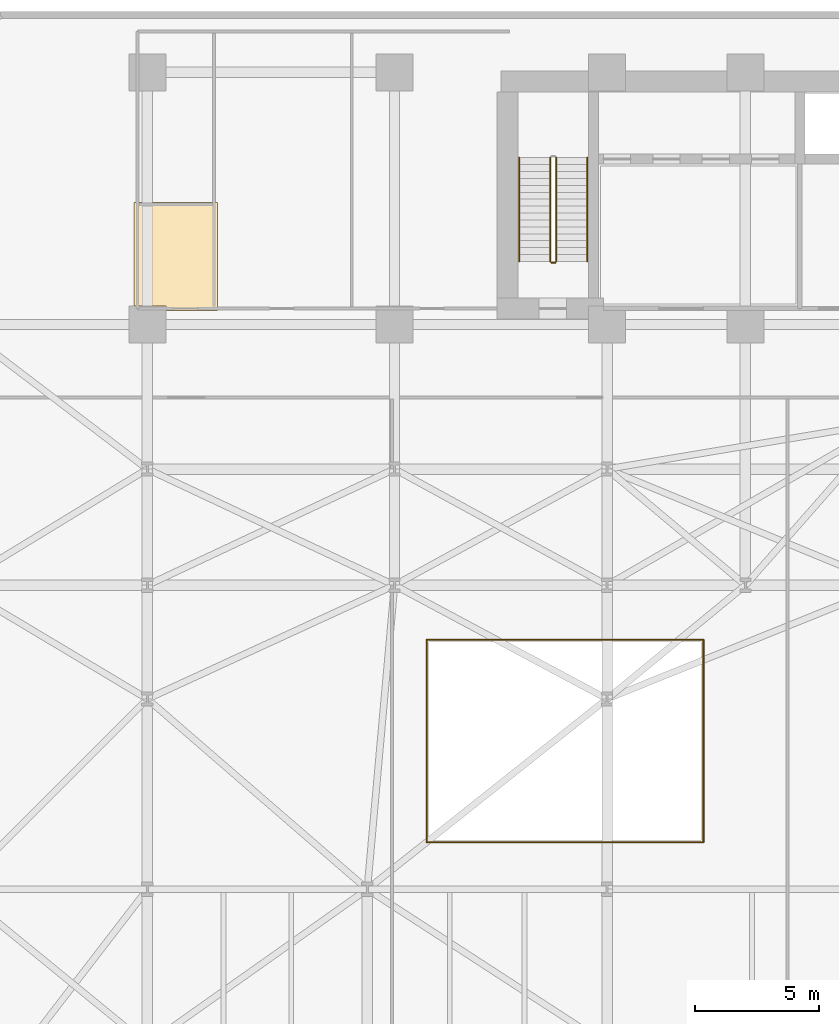
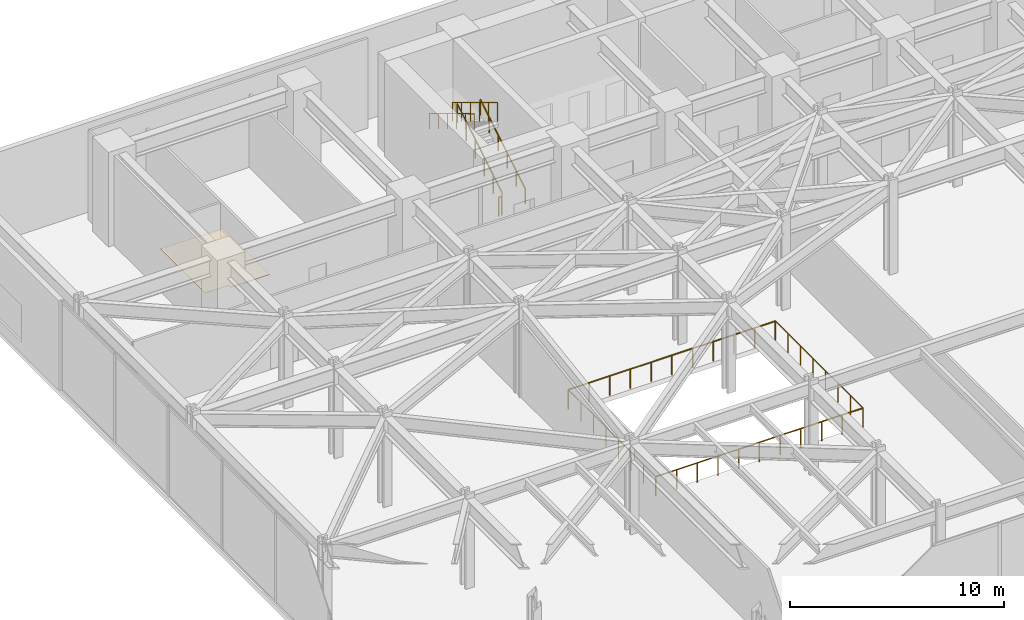
# One storey, part 27 of 29: 9 railings, 1 covering.
"""IFC4 building model written with IfcOpenShell, lengths in metres."""

from ifc_helpers import new_model, si_unit, direction, frame, origin, origin_2d, place, context, subcontext, project, spatial, polyline, circle, outline, extrude, material, layer, layer_set, type_object, element, save


model = new_model("IFC4")

# Units and contexts
model_context = context("Model", 3, precision=1e-05, world=origin(), true_north=direction((0.0, 1.0)))
body_context = subcontext(model_context, "Body", "Model", "MODEL_VIEW")
ifc_project = project(units=[si_unit("LENGTHUNIT", "METRE"), si_unit("AREAUNIT", "SQUARE_METRE"), si_unit("VOLUMEUNIT", "CUBIC_METRE"), si_unit("PLANEANGLEUNIT", "RADIAN"), si_unit("MASSUNIT", "GRAM", prefix="KILO")], contexts=[model_context])

# Site, building, storey
site_placement = place(None, origin())
site = spatial("IfcSite", under=ifc_project, at=site_placement, CompositionType="ELEMENT")
building_placement = place(site_placement, origin())
building = spatial("IfcBuilding", under=site, at=building_placement, Name="Kravanh Interchange Tower", CompositionType="ELEMENT")
storey_placement = place(building_placement, frame((0.0, 0.0, 5.39990234375)))
storey = spatial("IfcBuildingStorey", under=building, at=storey_placement, Name="L01", CompositionType="ELEMENT", Elevation=5.39990234375)

# Railings
ifc_material_1 = material(Name="Structural Steel S355", Category="steel")
ifc_layer_1 = layer(ifc_material_1, 0.06005859375)
ifc_layer_set_1 = layer_set([ifc_layer_1], Name="Atrium Void Glazed Balustrade Structural Steel S355 1120mm")
railing_type_1 = type_object("IfcRailingType", Name="Atrium Void Glazed Balustrade Structural Steel S355 1120mm", PredefinedType="BALUSTRADE", material=ifc_layer_set_1)
railing_1_placement = place(storey_placement, frame((19.89990234375, 16.39990234375, 0.0)))
element("IfcRailing", 1, at=railing_1_placement, inside=storey, type_object=railing_type_1, Name="L01 Concourse Atrium Void Balustrade 1", PredefinedType="BALUSTRADE", context=body_context, shape_type="SweptSolid", body=[
    extrude(circle(Radius=0.02392578125, at=origin_2d()), frame((0.0, 0.0, 1.09619140625), z_axis=(1.0, 0.0, 0.0), x_axis=(0.0, 1.0, 0.0)), (0.0, 0.0, 1.0), 11.2001953125),
    extrude(circle(Radius=0.02099609375, at=origin_2d()), origin(), (0.0, 0.0, 1.0), 1.072021484375),
    extrude(circle(Radius=0.02099609375, at=origin_2d()), frame((1.1201171875, 0.0, 0.0)), (0.0, 0.0, 1.0), 1.072021484375),
    extrude(circle(Radius=0.02099609375, at=origin_2d()), frame((2.239990234375, 0.0, 0.0)), (0.0, 0.0, 1.0), 1.072021484375),
    extrude(circle(Radius=0.02099609375, at=origin_2d()), frame((3.360107421875, 0.0, 0.0)), (0.0, 0.0, 1.0), 1.072021484375),
    extrude(circle(Radius=0.02099609375, at=origin_2d()), frame((4.47998046875, 0.0, 0.0)), (0.0, 0.0, 1.0), 1.072021484375),
    extrude(circle(Radius=0.02099609375, at=origin_2d()), frame((5.60009765625, 0.0, 0.0)), (0.0, 0.0, 1.0), 1.072021484375),
    extrude(circle(Radius=0.02099609375, at=origin_2d()), frame((6.72021484375, 0.0, 0.0)), (0.0, 0.0, 1.0), 1.072021484375),
    extrude(circle(Radius=0.02099609375, at=origin_2d()), frame((7.840087890625, 0.0, 0.0)), (0.0, 0.0, 1.0), 1.072021484375),
    extrude(circle(Radius=0.02099609375, at=origin_2d()), frame((8.960205078125, 0.0, 0.0)), (0.0, 0.0, 1.0), 1.072021484375),
    extrude(circle(Radius=0.02099609375, at=origin_2d()), frame((10.080078125, 0.0, 0.0)), (0.0, 0.0, 1.0), 1.072021484375),
    extrude(circle(Radius=0.02099609375, at=origin_2d()), frame((11.2001953125, 0.0, 0.0)), (0.0, 0.0, 1.0), 1.072021484375),
])
railing_2_placement = place(storey_placement, frame((31.10009765625, 16.39990234375, 0.0)))
element("IfcRailing", 2, at=railing_2_placement, inside=storey, type_object=railing_type_1, Name="L01 Concourse Atrium Void Balustrade 2", PredefinedType="BALUSTRADE", context=body_context, shape_type="SweptSolid", body=[
    extrude(circle(Radius=0.02392578125, at=origin_2d()), frame((0.0, 0.0, 1.09619140625), z_axis=(0.0, 1.0, 0.0), x_axis=(-1.0, 0.0, 0.0)), (0.0, 0.0, 1.0), 8.2001953125),
    extrude(circle(Radius=0.02099609375, at=origin_2d()), origin(), (0.0, 0.0, 1.0), 1.072021484375),
    extrude(circle(Radius=0.02099609375, at=origin_2d()), frame((0.0, 1.17138671875, 0.0)), (0.0, 0.0, 1.0), 1.072021484375),
    extrude(circle(Radius=0.02099609375, at=origin_2d()), frame((0.0, 2.343017578125, 0.0)), (0.0, 0.0, 1.0), 1.072021484375),
    extrude(circle(Radius=0.02099609375, at=origin_2d()), frame((0.0, 3.514404296875, 0.0)), (0.0, 0.0, 1.0), 1.072021484375),
    extrude(circle(Radius=0.02099609375, at=origin_2d()), frame((0.0, 4.685791015625, 0.0)), (0.0, 0.0, 1.0), 1.072021484375),
    extrude(circle(Radius=0.02099609375, at=origin_2d()), frame((0.0, 5.857177734375, 0.0)), (0.0, 0.0, 1.0), 1.072021484375),
    extrude(circle(Radius=0.02099609375, at=origin_2d()), frame((0.0, 7.02880859375, 0.0)), (0.0, 0.0, 1.0), 1.072021484375),
    extrude(circle(Radius=0.02099609375, at=origin_2d()), frame((0.0, 8.2001953125, 0.0)), (0.0, 0.0, 1.0), 1.072021484375),
])
railing_3_placement = place(storey_placement, frame((31.10009765625, 24.60009765625, 0.0)))
element("IfcRailing", 3, at=railing_3_placement, inside=storey, type_object=railing_type_1, Name="L01 Concourse Atrium Void Balustrade 3", PredefinedType="BALUSTRADE", context=body_context, shape_type="SweptSolid", body=[
    extrude(circle(Radius=0.02392578125, at=origin_2d()), frame((0.0, 0.0, 1.09619140625), z_axis=(-1.0, 0.0, 0.0), x_axis=(0.0, -1.0, 0.0)), (0.0, 0.0, 1.0), 11.2001953125),
    extrude(circle(Radius=0.02099609375, at=origin_2d()), origin(), (0.0, 0.0, 1.0), 1.072021484375),
    extrude(circle(Radius=0.02099609375, at=origin_2d()), frame((-1.1201171875, 0.0, 0.0)), (0.0, 0.0, 1.0), 1.072021484375),
    extrude(circle(Radius=0.02099609375, at=origin_2d()), frame((-2.239990234375, 0.0, 0.0)), (0.0, 0.0, 1.0), 1.072021484375),
    extrude(circle(Radius=0.02099609375, at=origin_2d()), frame((-3.360107421875, 0.0, 0.0)), (0.0, 0.0, 1.0), 1.072021484375),
    extrude(circle(Radius=0.02099609375, at=origin_2d()), frame((-4.47998046875, 0.0, 0.0)), (0.0, 0.0, 1.0), 1.072021484375),
    extrude(circle(Radius=0.02099609375, at=origin_2d()), frame((-5.60009765625, 0.0, 0.0)), (0.0, 0.0, 1.0), 1.072021484375),
    extrude(circle(Radius=0.02099609375, at=origin_2d()), frame((-6.72021484375, 0.0, 0.0)), (0.0, 0.0, 1.0), 1.072021484375),
    extrude(circle(Radius=0.02099609375, at=origin_2d()), frame((-7.840087890625, 0.0, 0.0)), (0.0, 0.0, 1.0), 1.072021484375),
    extrude(circle(Radius=0.02099609375, at=origin_2d()), frame((-8.960205078125, 0.0, 0.0)), (0.0, 0.0, 1.0), 1.072021484375),
    extrude(circle(Radius=0.02099609375, at=origin_2d()), frame((-10.080078125, 0.0, 0.0)), (0.0, 0.0, 1.0), 1.072021484375),
    extrude(circle(Radius=0.02099609375, at=origin_2d()), frame((-11.2001953125, 0.0, 0.0)), (0.0, 0.0, 1.0), 1.072021484375),
])
railing_4_placement = place(storey_placement, frame((19.89990234375, 24.60009765625, 0.0)))
element("IfcRailing", 4, at=railing_4_placement, inside=storey, type_object=railing_type_1, Name="L01 Concourse Atrium Void Balustrade 4", PredefinedType="BALUSTRADE", context=body_context, shape_type="SweptSolid", body=[
    extrude(circle(Radius=0.02392578125, at=origin_2d()), frame((0.0, 0.0, 1.09619140625), z_axis=(0.0, -1.0, 0.0), x_axis=(1.0, 0.0, 0.0)), (0.0, 0.0, 1.0), 8.2001953125),
    extrude(circle(Radius=0.02099609375, at=origin_2d()), origin(), (0.0, 0.0, 1.0), 1.072021484375),
    extrude(circle(Radius=0.02099609375, at=origin_2d()), frame((0.0, -1.17138671875, 0.0)), (0.0, 0.0, 1.0), 1.072021484375),
    extrude(circle(Radius=0.02099609375, at=origin_2d()), frame((0.0, -2.343017578125, 0.0)), (0.0, 0.0, 1.0), 1.072021484375),
    extrude(circle(Radius=0.02099609375, at=origin_2d()), frame((0.0, -3.514404296875, 0.0)), (0.0, 0.0, 1.0), 1.072021484375),
    extrude(circle(Radius=0.02099609375, at=origin_2d()), frame((0.0, -4.685791015625, 0.0)), (0.0, 0.0, 1.0), 1.072021484375),
    extrude(circle(Radius=0.02099609375, at=origin_2d()), frame((0.0, -5.857177734375, 0.0)), (0.0, 0.0, 1.0), 1.072021484375),
    extrude(circle(Radius=0.02099609375, at=origin_2d()), frame((0.0, -7.02880859375, 0.0)), (0.0, 0.0, 1.0), 1.072021484375),
    extrude(circle(Radius=0.02099609375, at=origin_2d()), frame((0.0, -8.2001953125, 0.0)), (0.0, 0.0, 1.0), 1.072021484375),
])

# Covering
ifc_material_2 = material(Name="Acoustic Mineral Fibre Tile on Aluminium Grid", Category="aluminium")
ifc_layer_2 = layer(ifc_material_2, 0.02490234375)
ifc_layer_set_2 = layer_set([ifc_layer_2], Name="Perforated Acoustic Mineral Ceiling 25mm")
covering_type = type_object("IfcCoveringType", Name="Perforated Acoustic Mineral Ceiling 25mm", PredefinedType="CEILING", material=ifc_layer_set_2)
covering_placement = place(storey_placement, frame((0.0, 0.0, 2.550048828125)))
element("IfcCovering", 5, at=covering_placement, inside=storey, type_object=covering_type, Name="L01 Accessible WC Suspended Ceiling", PredefinedType="CEILING", context=body_context, shape_type="SweptSolid", body=[
    extrude(outline(polyline([(8.06005859375, 42.280029296875), (11.43994140625, 42.280029296875), (11.43994140625, 37.909912109375), (9.35009765625, 37.909912109375), (9.35009765625, 38.10009765625), (8.06005859375, 38.10009765625), (8.06005859375, 42.280029296875)])), origin(), (0.0, 0.0, 1.0), 0.025146484375),
])

# Railings
ifc_material_3 = material(Name="Structural Steel S355", Category="steel")
ifc_layer_3 = layer(ifc_material_3, 0.050048828125)
ifc_layer_set_3 = layer_set([ifc_layer_3], Name="Stair Well Guardrail Structural Steel S355 1100mm")
railing_type_2 = type_object("IfcRailingType", Name="Stair Well Guardrail Structural Steel S355 1100mm", PredefinedType="GUARDRAIL", material=ifc_layer_set_3)
railing_5_placement = place(storey_placement, frame((25.14990234375, 39.89990234375, 0.1689453125)))
element("IfcRailing", 6, at=railing_5_placement, inside=storey, type_object=railing_type_2, Name="L01 ST3 stair guard 1", PredefinedType="GUARDRAIL", context=body_context, shape_type="SweptSolid", body=[
    extrude(circle(Radius=0.02392578125, at=origin_2d()), frame((0.0, 0.0, 1.076171875), z_axis=(0.0, 0.856489757249, 0.516164020179), x_axis=(-1.0, 0.0, 0.0)), (0.0, 0.0, 1.0), 4.904052734375),
    extrude(circle(Radius=0.02099609375, at=origin_2d()), origin(), (0.0, 0.0, 1.0), 1.052001953125),
    extrude(circle(Radius=0.02099609375, at=origin_2d()), frame((0.0, 0.840087890625, 0.50634765625)), (0.0, 0.0, 1.0), 1.052001953125),
    extrude(circle(Radius=0.02099609375, at=origin_2d()), frame((0.0, 1.68017578125, 1.012451171875)), (0.0, 0.0, 1.0), 1.052001953125),
    extrude(circle(Radius=0.02099609375, at=origin_2d()), frame((0.0, 2.52001953125, 1.518798828125)), (0.0, 0.0, 1.0), 1.052001953125),
    extrude(circle(Radius=0.02099609375, at=origin_2d()), frame((0.0, 3.360107421875, 2.02490234375)), (0.0, 0.0, 1.0), 1.052001953125),
    extrude(circle(Radius=0.02099609375, at=origin_2d()), frame((0.0, 4.2001953125, 2.53125)), (0.0, 0.0, 1.0), 1.052001953125),
])
railing_6_placement = place(storey_placement, frame((24.89990234375, 44.10009765625, 2.868896484375)))
element("IfcRailing", 7, at=railing_6_placement, inside=storey, type_object=railing_type_2, Name="L01 ST3 stair guard 3", PredefinedType="GUARDRAIL", context=body_context, shape_type="SweptSolid", body=[
    extrude(circle(Radius=0.02392578125, at=origin_2d()), frame((0.0, 0.0, 1.076171875), z_axis=(0.0, -0.856489757249, 0.516164020179), x_axis=(1.0, 0.0, 0.0)), (0.0, 0.0, 1.0), 4.904052734375),
    extrude(circle(Radius=0.02099609375, at=origin_2d()), origin(), (0.0, 0.0, 1.0), 1.052001953125),
    extrude(circle(Radius=0.02099609375, at=origin_2d()), frame((0.0, -0.840087890625, 0.50634765625)), (0.0, 0.0, 1.0), 1.052001953125),
    extrude(circle(Radius=0.02099609375, at=origin_2d()), frame((0.0, -1.68017578125, 1.012451171875)), (0.0, 0.0, 1.0), 1.052001953125),
    extrude(circle(Radius=0.02099609375, at=origin_2d()), frame((0.0, -2.52001953125, 1.518798828125)), (0.0, 0.0, 1.0), 1.052001953125),
    extrude(circle(Radius=0.02099609375, at=origin_2d()), frame((0.0, -3.360107421875, 2.02490234375)), (0.0, 0.0, 1.0), 1.052001953125),
    extrude(circle(Radius=0.02099609375, at=origin_2d()), frame((0.0, -4.2001953125, 2.53125)), (0.0, 0.0, 1.0), 1.052001953125),
])
railing_7_placement = place(storey_placement, frame((25.10009765625, 39.85009765625, 0.0)))
element("IfcRailing", 8, at=railing_7_placement, inside=storey, type_object=railing_type_2, Name="L01 ST3 stair guard 4", PredefinedType="GUARDRAIL", context=body_context, shape_type="SweptSolid", body=[
    extrude(circle(Radius=0.02392578125, at=origin_2d()), frame((0.0, 0.0, 1.076171875), z_axis=(-1.0, 0.0, 0.0), x_axis=(0.0, -1.0, 0.0)), (0.0, 0.0, 1.0), 0.150146484375),
    extrude(circle(Radius=0.02099609375, at=origin_2d()), origin(), (0.0, 0.0, 1.0), 1.052001953125),
    extrude(circle(Radius=0.02099609375, at=origin_2d()), frame((-0.150146484375, 0.0, 0.0)), (0.0, 0.0, 1.0), 1.052001953125),
])
ifc_material_4 = material(Name="Stainless Steel 304", Category="steel")
ifc_layer_4 = layer(ifc_material_4, 0.044921875)
ifc_layer_set_4 = layer_set([ifc_layer_4], Name="Tubular Stair Handrail Stainless 304 900mm")
railing_type_3 = type_object("IfcRailingType", Name="Tubular Stair Handrail Stainless 304 900mm", PredefinedType="HANDRAIL", material=ifc_layer_set_4)
railing_8_placement = place(storey_placement, frame((26.39990234375, 39.89990234375, 0.1689453125)))
element("IfcRailing", 9, at=railing_8_placement, inside=storey, type_object=railing_type_3, Name="L01 ST3 stair handrail 1", PredefinedType="HANDRAIL", context=body_context, shape_type="SweptSolid", body=[
    extrude(circle(Radius=0.02392578125, at=origin_2d()), frame((0.0, 0.0, 0.8759765625), z_axis=(0.0, 0.856489757249, 0.516164020179), x_axis=(-1.0, 0.0, 0.0)), (0.0, 0.0, 1.0), 4.904052734375),
    extrude(circle(Radius=0.02099609375, at=origin_2d()), origin(), (0.0, 0.0, 1.0), 0.851806640625),
    extrude(circle(Radius=0.02099609375, at=origin_2d()), frame((0.0, 0.840087890625, 0.50634765625)), (0.0, 0.0, 1.0), 0.851806640625),
    extrude(circle(Radius=0.02099609375, at=origin_2d()), frame((0.0, 1.68017578125, 1.012451171875)), (0.0, 0.0, 1.0), 0.851806640625),
    extrude(circle(Radius=0.02099609375, at=origin_2d()), frame((0.0, 2.52001953125, 1.518798828125)), (0.0, 0.0, 1.0), 0.851806640625),
    extrude(circle(Radius=0.02099609375, at=origin_2d()), frame((0.0, 3.360107421875, 2.02490234375)), (0.0, 0.0, 1.0), 0.851806640625),
    extrude(circle(Radius=0.02099609375, at=origin_2d()), frame((0.0, 4.2001953125, 2.53125)), (0.0, 0.0, 1.0), 0.851806640625),
])
railing_9_placement = place(storey_placement, frame((23.64990234375, 44.10009765625, 2.868896484375)))
element("IfcRailing", 10, at=railing_9_placement, inside=storey, type_object=railing_type_3, Name="L01 ST3 stair handrail 2", PredefinedType="HANDRAIL", context=body_context, shape_type="SweptSolid", body=[
    extrude(circle(Radius=0.02392578125, at=origin_2d()), frame((0.0, 0.0, 0.8759765625), z_axis=(0.0, -0.856489757249, 0.516164020179), x_axis=(1.0, 0.0, 0.0)), (0.0, 0.0, 1.0), 4.904052734375),
    extrude(circle(Radius=0.02099609375, at=origin_2d()), origin(), (0.0, 0.0, 1.0), 0.851806640625),
    extrude(circle(Radius=0.02099609375, at=origin_2d()), frame((0.0, -0.840087890625, 0.50634765625)), (0.0, 0.0, 1.0), 0.851806640625),
    extrude(circle(Radius=0.02099609375, at=origin_2d()), frame((0.0, -1.68017578125, 1.012451171875)), (0.0, 0.0, 1.0), 0.851806640625),
    extrude(circle(Radius=0.02099609375, at=origin_2d()), frame((0.0, -2.52001953125, 1.518798828125)), (0.0, 0.0, 1.0), 0.851806640625),
    extrude(circle(Radius=0.02099609375, at=origin_2d()), frame((0.0, -3.360107421875, 2.02490234375)), (0.0, 0.0, 1.0), 0.851806640625),
    extrude(circle(Radius=0.02099609375, at=origin_2d()), frame((0.0, -4.2001953125, 2.53125)), (0.0, 0.0, 1.0), 0.851806640625),
])

save(model, "model.ifc")
